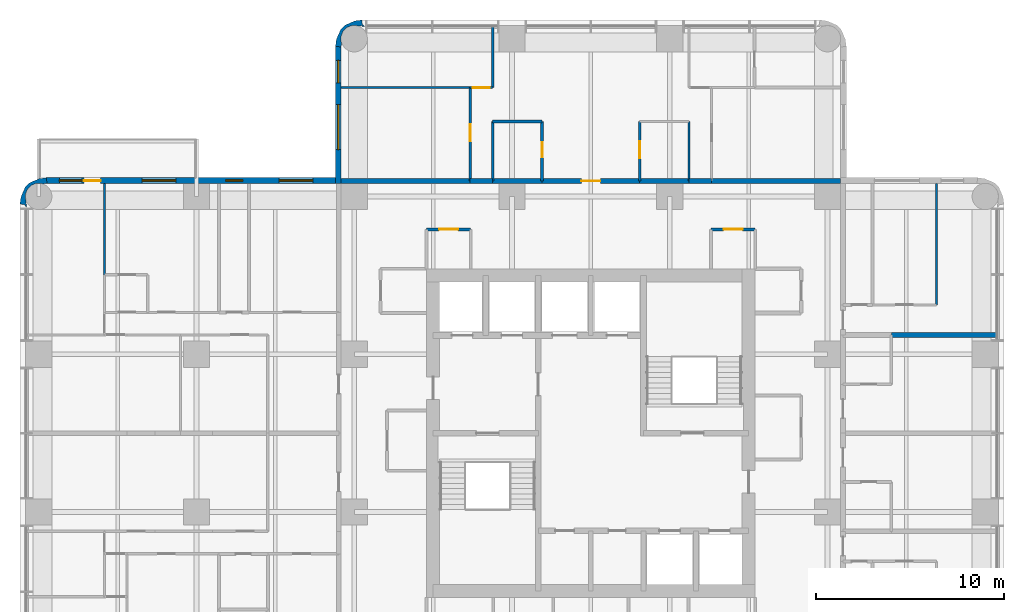
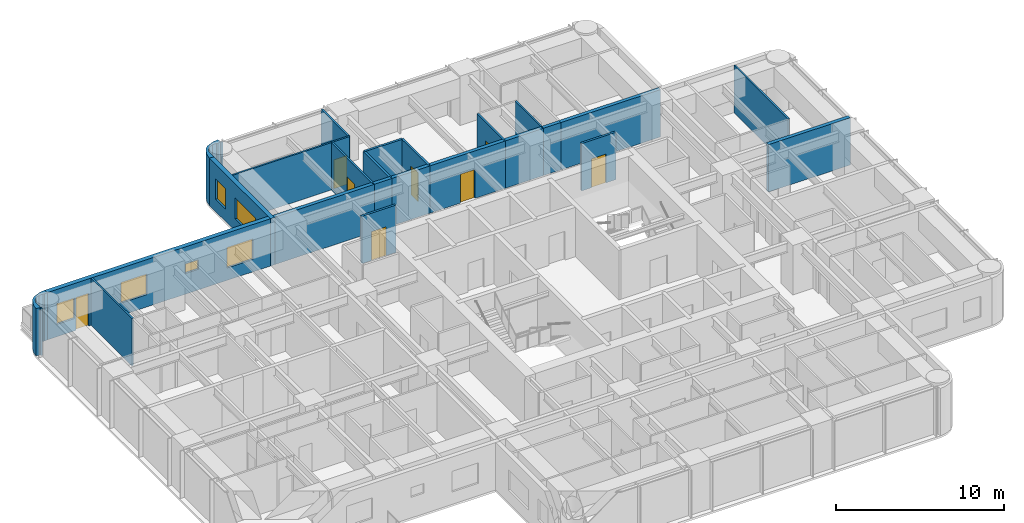
# One storey, part 9 of 11: 25 walls, 8 doors, 6 windows, 14 openings.
"""IFC4 building model written with IfcOpenShell, lengths in metres."""

from ifc_helpers import new_model, si_unit, direction, frame, frame_2d, origin, place, context, subcontext, project, spatial, polyline, rectangle, outline, extrude, material, layer, layer_set, type_object, element, fill, save


model = new_model("IFC4")

# Units and contexts
model_context = context("Model", 3, precision=1e-05, world=origin(), true_north=direction((0.0, 1.0)))
body_context = subcontext(model_context, "Body", "Model", "MODEL_VIEW")
ifc_project = project(units=[si_unit("LENGTHUNIT", "METRE"), si_unit("AREAUNIT", "SQUARE_METRE"), si_unit("VOLUMEUNIT", "CUBIC_METRE"), si_unit("PLANEANGLEUNIT", "RADIAN"), si_unit("MASSUNIT", "GRAM", prefix="KILO")], contexts=[model_context])

# Site, building, storey
site_placement = place(None, origin())
site = spatial("IfcSite", under=ifc_project, at=site_placement, CompositionType="ELEMENT")
building_placement = place(site_placement, origin())
building = spatial("IfcBuilding", under=site, at=building_placement, Name="Torre Alcanfor", CompositionType="ELEMENT")
storey_placement = place(building_placement, frame((0.0, 0.0, 230.10009765625)))
storey = spatial("IfcBuildingStorey", under=building, at=storey_placement, Name="L60", CompositionType="ELEMENT", Elevation=230.10009765625)

# Wall, opening, door
ifc_material_1 = material(Name="Concrete block masonry, hollow blocks NMX-C-404 9 MPa", Category="masonry")
ifc_layer_1 = layer(ifc_material_1, 0.25)
ifc_layer_set_1 = layer_set([ifc_layer_1], Name="Apartment entrance wall 250 EI 60")
wall_type_1 = type_object("IfcWallType", Name="Apartment entrance wall 250 EI 60", PredefinedType="PARTITIONING", material=ifc_layer_set_1)
wall_1_placement = place(storey_placement, frame((26.800048828125, 42.824951171875, 0.0), z_axis=(0.0, 0.0, 1.0), x_axis=(1.0, 0.0, 0.0)))
wall_1 = element("IfcWall", 1, at=wall_1_placement, inside=storey, type_object=wall_type_1, Name="Partition L60-CORR / L60-NX-ZAG", PredefinedType="PARTITIONING", context=body_context, shape_type="SweptSolid", body=[
    extrude(rectangle(XDim=5.199951171875, YDim=0.25, at=frame_2d((2.60009765625, 0.0))), origin(), (0.0, 0.0, 1.0), 3.449951171875),
])
opening_1_placement = place(wall_1_placement, frame((2.10009765625, 0.0, 0.0)))
opening_1 = element("IfcOpeningElement", 2, at=opening_1_placement, cuts=wall_1, Name="Opening D-A1", PredefinedType="OPENING", context=body_context, shape_type="SweptSolid", body=[
    extrude(rectangle(XDim=1.0, YDim=2.10009765625, at=frame_2d((0.5, 1.050048828125))), frame((0.0, 0.135009765625, 0.0), z_axis=(0.0, -1.0, 0.0), x_axis=(1.0, 0.0, 0.0)), (0.0, 0.0, 1.0), 0.27001953125),
])
ifc_material_2 = material(Name="Galvanised steel sheet ASTM A653", Category="steel")
door_type_1 = type_object("IfcDoorType", Name="Apartment entrance door FD60 1000x2100", OperationType="SINGLE_SWING_LEFT", PredefinedType="DOOR", material=ifc_material_2)
door_1_placement = place(opening_1_placement, origin())
door_1 = element("IfcDoor", 3, at=door_1_placement, inside=storey, type_object=door_type_1, Name="Apartment entrance L60-NX", OperationType="SINGLE_SWING_LEFT", OverallHeight=2.10009765625, OverallWidth=1.0, PredefinedType="DOOR", context=body_context, shape_type="SweptSolid", body=[
    extrude(rectangle(XDim=1.0, YDim=2.10009765625, at=frame_2d((0.5, 1.050048828125))), frame((0.0, 0.02490234375, 0.0), z_axis=(0.0, -1.0, 0.0), x_axis=(1.0, 0.0, 0.0)), (0.0, 0.0, 1.0), 0.050048828125),
])
fill(opening_1, door_1)

# Walls
wall_2_placement = place(storey_placement, frame((24.1708984375, 42.824951171875, 0.0), z_axis=(0.0, 0.0, 1.0), x_axis=(1.0, 0.0, 0.0)))
element("IfcWall", 4, at=wall_2_placement, inside=storey, type_object=wall_type_1, Name="Partition L60-CORR / L60-NX-BATH2", PredefinedType="PARTITIONING", context=body_context, shape_type="SweptSolid", body=[
    extrude(rectangle(XDim=2.629150390625, YDim=0.25, at=frame_2d((1.314453125, 0.0))), origin(), (0.0, 0.0, 1.0), 3.449951171875),
])
wall_3_placement = place(storey_placement, frame((32.0, 42.824951171875, 0.0), z_axis=(0.0, 0.0, 1.0), x_axis=(1.0, 0.0, 0.0)))
element("IfcWall", 5, at=wall_3_placement, inside=storey, type_object=wall_type_1, Name="Partition L60-CORR / L60-NX-KITCHEN", PredefinedType="PARTITIONING", context=body_context, shape_type="SweptSolid", body=[
    extrude(rectangle(XDim=2.62890625, YDim=0.25, at=frame_2d((1.314453125, 0.0))), origin(), (0.0, 0.0, 1.0), 3.449951171875),
])
wall_4_placement = place(storey_placement, frame((22.970947265625, 42.824951171875, 0.0), z_axis=(0.0, 0.0, 1.0), x_axis=(1.0, 0.0, 0.0)))
element("IfcWall", 6, at=wall_4_placement, inside=storey, type_object=wall_type_1, Name="Partition L60-CORR / L60-NX-LIVING", PredefinedType="PARTITIONING", context=body_context, shape_type="SweptSolid", body=[
    extrude(rectangle(XDim=1.199951171875, YDim=0.25, at=frame_2d((0.60009765625, 0.0))), origin(), (0.0, 0.0, 1.0), 3.449951171875),
])
wall_5_placement = place(storey_placement, frame((34.62890625, 42.824951171875, 0.0), z_axis=(0.0, 0.0, 1.0), x_axis=(1.0, 0.0, 0.0)))
element("IfcWall", 7, at=wall_5_placement, inside=storey, type_object=wall_type_1, Name="Partition L60-CORR / L60-NX-LIVING", PredefinedType="PARTITIONING", context=body_context, shape_type="SweptSolid", body=[
    extrude(rectangle(XDim=1.2001953125, YDim=0.25, at=frame_2d((0.60009765625, 0.0))), origin(), (0.0, 0.0, 1.0), 3.449951171875),
])
for number, where, z_axis, x_axis, name in (
    (8, (16.10009765625, 42.824951171875, 0.0), (0.0, 0.0, 1.0), (1.0, 0.0, 0.0), "Partition L60-CORR / L60-NX-BED2"),
    (9, (35.8291015625, 42.824951171875, 0.0), (0.0, 0.0, 1.0), (1.0, 0.0, 0.0), "Partition L60-CORR / L60-NX-BED3"),
):
    element("IfcWall", number, at=place(storey_placement, frame(where, z_axis=z_axis, x_axis=x_axis)), inside=storey, type_object=wall_type_1, Name=name, PredefinedType="PARTITIONING", context=body_context, shape_type="SweptSolid", body=[
        extrude(rectangle(XDim=6.870849609375, YDim=0.25, at=frame_2d((3.435546875, 0.0))), origin(), (0.0, 0.0, 1.0), 3.449951171875),
    ])

# Wall, opening, door
ifc_material_3 = material(Name="Gypsum board on steel studs", Category="steel")
ifc_layer_2 = layer(ifc_material_3, 0.1201171875)
ifc_layer_set_2 = layer_set([ifc_layer_2], Name="Apartment partition 120")
wall_type_2 = type_object("IfcWallType", Name="Apartment partition 120", PredefinedType="PARTITIONING", material=ifc_layer_set_2)
wall_6_placement = place(storey_placement, frame((32.0, 42.824951171875, 0.0), z_axis=(0.0, 0.0, 1.0), x_axis=(0.0, 1.0, 0.0)))
wall_6 = element("IfcWall", 10, at=wall_6_placement, inside=storey, type_object=wall_type_2, Name="Partition L60-NX-ZAG / L60-NX-KITCHEN", PredefinedType="PARTITIONING", context=body_context, shape_type="SweptSolid", body=[
    extrude(rectangle(XDim=3.175048828125, YDim=0.1201171875, at=frame_2d((1.58740234375, 0.0))), origin(), (0.0, 0.0, 1.0), 3.449951171875),
])
opening_2_placement = place(wall_6_placement, frame((1.22509765625, 0.0, 0.0)))
opening_2 = element("IfcOpeningElement", 11, at=opening_2_placement, cuts=wall_6, Name="Opening D-R1", PredefinedType="OPENING", context=body_context, shape_type="SweptSolid", body=[
    extrude(rectangle(XDim=0.89990234375, YDim=2.10009765625, at=frame_2d((0.449951171875, 1.050048828125))), frame((0.0, 0.070068359375, 0.0), z_axis=(0.0, -1.0, 0.0), x_axis=(1.0, 0.0, 0.0)), (0.0, 0.0, 1.0), 0.14013671875),
])
ifc_material_4 = material(Name="Timber", Category="wood")
door_type_2 = type_object("IfcDoorType", Name="Internal door 900x2100", OperationType="SINGLE_SWING_LEFT", PredefinedType="DOOR", material=ifc_material_4)
door_2_placement = place(opening_2_placement, frame((0.89990234375, 0.0, 0.0), z_axis=(0.0, 0.0, 1.0), x_axis=(-1.0, 0.0, 0.0)))
door_2 = element("IfcDoor", 12, at=door_2_placement, inside=storey, type_object=door_type_2, Name="Door L60-NX kitchen", OperationType="SINGLE_SWING_LEFT", OverallHeight=2.10009765625, OverallWidth=0.89990234375, PredefinedType="DOOR", context=body_context, shape_type="SweptSolid", body=[
    extrude(rectangle(XDim=0.89990234375, YDim=2.10009765625, at=frame_2d((0.449951171875, 1.050048828125))), frame((0.0, 0.025146484375, 0.0), z_axis=(0.0, -1.0, 0.0), x_axis=(1.0, 0.0, 0.0)), (0.0, 0.0, 1.0), 0.050048828125),
])
fill(opening_2, door_2)

# Wall
wall_7_placement = place(storey_placement, frame((34.62890625, 42.824951171875, 0.0), z_axis=(0.0, 0.0, 1.0), x_axis=(0.0, 1.0, 0.0)))
element("IfcWall", 13, at=wall_7_placement, inside=storey, type_object=wall_type_2, Name="Partition L60-NX-KITCHEN / L60-NX-LIVING", PredefinedType="PARTITIONING", context=body_context, shape_type="SweptSolid", body=[
    extrude(rectangle(XDim=3.175048828125, YDim=0.1201171875, at=frame_2d((1.58740234375, 0.0))), origin(), (0.0, 0.0, 1.0), 3.449951171875),
])

# Wall, opening, door
wall_8_placement = place(storey_placement, frame((22.970947265625, 42.824951171875, 0.0), z_axis=(0.0, 0.0, 1.0), x_axis=(0.0, 1.0, 0.0)))
wall_8 = element("IfcWall", 14, at=wall_8_placement, inside=storey, type_object=wall_type_2, Name="Partition L60-NX-LIVING / L60-NX-BED2", PredefinedType="PARTITIONING", context=body_context, shape_type="SweptSolid", body=[
    extrude(rectangle(XDim=4.97509765625, YDim=0.1201171875, at=frame_2d((2.487548828125, 0.0))), origin(), (0.0, 0.0, 1.0), 3.449951171875),
])
opening_3_placement = place(wall_8_placement, frame((2.125, 0.0, 0.0)))
opening_3 = element("IfcOpeningElement", 15, at=opening_3_placement, cuts=wall_8, Name="Opening D-R1", PredefinedType="OPENING", context=body_context, shape_type="SweptSolid", body=[
    extrude(rectangle(XDim=0.89990234375, YDim=2.10009765625, at=frame_2d((0.449951171875, 1.050048828125))), frame((0.0, 0.070068359375, 0.0), z_axis=(0.0, -1.0, 0.0), x_axis=(1.0, 0.0, 0.0)), (0.0, 0.0, 1.0), 0.14013671875),
])
door_3_placement = place(opening_3_placement, origin())
door_3 = element("IfcDoor", 16, at=door_3_placement, inside=storey, type_object=door_type_2, Name="Door L60-NX bed2", OperationType="SINGLE_SWING_RIGHT", OverallHeight=2.10009765625, OverallWidth=0.89990234375, PredefinedType="DOOR", context=body_context, shape_type="SweptSolid", body=[
    extrude(rectangle(XDim=0.89990234375, YDim=2.10009765625, at=frame_2d((0.449951171875, 1.050048828125))), frame((0.0, 0.02490234375, 0.0), z_axis=(0.0, -1.0, 0.0), x_axis=(1.0, 0.0, 0.0)), (0.0, 0.0, 1.0), 0.050048828125),
])
fill(opening_3, door_3)

wall_9_placement = place(storey_placement, frame((22.970947265625, 47.800048828125, 0.0), z_axis=(0.0, 0.0, 1.0), x_axis=(1.0, 0.0, 0.0)))
wall_9 = element("IfcWall", 17, at=wall_9_placement, inside=storey, type_object=wall_type_2, Name="Partition L60-NX-LIVING / L60-NX-MASTER", PredefinedType="PARTITIONING", context=body_context, shape_type="SweptSolid", body=[
    extrude(rectangle(XDim=1.199951171875, YDim=0.1201171875, at=frame_2d((0.60009765625, 0.0))), origin(), (0.0, 0.0, 1.0), 3.449951171875),
])
opening_4_placement = place(wall_9_placement, frame((0.14892578125, 0.0, 0.0)))
opening_4 = element("IfcOpeningElement", 18, at=opening_4_placement, cuts=wall_9, Name="Opening D-R1", PredefinedType="OPENING", context=body_context, shape_type="SweptSolid", body=[
    extrude(rectangle(XDim=0.89990234375, YDim=2.10009765625, at=frame_2d((0.449951171875, 1.050048828125))), frame((0.0, 0.070068359375, 0.0), z_axis=(0.0, -1.0, 0.0), x_axis=(1.0, 0.0, 0.0)), (0.0, 0.0, 1.0), 0.14013671875),
])
door_4_placement = place(opening_4_placement, origin())
door_4 = element("IfcDoor", 19, at=door_4_placement, inside=storey, type_object=door_type_2, Name="Door L60-NX master", OperationType="SINGLE_SWING_RIGHT", OverallHeight=2.10009765625, OverallWidth=0.89990234375, PredefinedType="DOOR", context=body_context, shape_type="SweptSolid", body=[
    extrude(rectangle(XDim=0.89990234375, YDim=2.10009765625, at=frame_2d((0.449951171875, 1.050048828125))), frame((0.0, 0.02490234375, 0.0), z_axis=(0.0, -1.0, 0.0), x_axis=(1.0, 0.0, 0.0)), (0.0, 0.0, 1.0), 0.050048828125),
])
fill(opening_4, door_4)

# Walls
wall_10_placement = place(storey_placement, frame((24.1708984375, 47.800048828125, 0.0), z_axis=(0.0, 0.0, 1.0), x_axis=(0.0, 1.0, 0.0)))
element("IfcWall", 20, at=wall_10_placement, inside=storey, type_object=wall_type_2, Name="Partition L60-NX-LIVING / L60-NX-MASTER", PredefinedType="PARTITIONING", context=body_context, shape_type="SweptSolid", body=[
    extrude(rectangle(XDim=3.25, YDim=0.1201171875, at=frame_2d((1.625, 0.0))), origin(), (0.0, 0.0, 1.0), 3.449951171875),
])
wall_11_placement = place(storey_placement, frame((22.970947265625, 47.800048828125, 0.0), z_axis=(0.0, 0.0, 1.0), x_axis=(-1.0, 0.0, 0.0)))
element("IfcWall", 21, at=wall_11_placement, inside=storey, type_object=wall_type_2, Name="Partition L60-NX-BED2 / L60-NX-MASTER", PredefinedType="PARTITIONING", context=body_context, shape_type="SweptSolid", body=[
    extrude(rectangle(XDim=6.870849609375, YDim=0.1201171875, at=frame_2d((3.435546875, 0.0))), origin(), (0.0, 0.0, 1.0), 3.449951171875),
])
wall_12_placement = place(storey_placement, frame((47.800048828125, 36.22900390625, 0.0), z_axis=(0.0, 0.0, 1.0), x_axis=(0.0, 1.0, 0.0)))
element("IfcWall", 22, at=wall_12_placement, inside=storey, type_object=wall_type_2, Name="Partition L60-E1B-LIVING / L60-E1B-MASTER", PredefinedType="PARTITIONING", context=body_context, shape_type="SweptSolid", body=[
    extrude(rectangle(XDim=6.470947265625, YDim=0.1201171875, at=frame_2d((3.2353515625, 0.0))), origin(), (0.0, 0.0, 1.0), 3.449951171875),
])
wall_13_placement = place(storey_placement, frame((3.5, 37.8291015625, 0.0), z_axis=(0.0, 0.0, 1.0), x_axis=(0.0, 1.0, 0.0)))
element("IfcWall", 23, at=wall_13_placement, inside=storey, type_object=wall_type_2, Name="Partition L60-W2-MASTER / L60-W2-WGARD", PredefinedType="PARTITIONING", context=body_context, shape_type="SweptSolid", body=[
    extrude(rectangle(XDim=4.870849609375, YDim=0.1201171875, at=frame_2d((2.435546875, 0.0))), origin(), (0.0, 0.0, 1.0), 3.449951171875),
])

# Wall, openings, door, windows
ifc_material_5 = material(Name="Limestone cladding", Category="masonry")
ifc_layer_3 = layer(ifc_material_5, 0.0400390625, Name="Facing")
ifc_material_6 = material(Name="Ventilated air cavity")
ifc_layer_4 = layer(ifc_material_6, 0.02001953125, ventilated=True, Name="Ventilated joint")
ifc_material_7 = material(Name="Mineral wool insulation", Category="insulation")
ifc_layer_5 = layer(ifc_material_7, 0.10009765625, Name="Insulation")
ifc_material_8 = material(Name="Concrete f'c 35 MPa", Category="concrete")
ifc_layer_6 = layer(ifc_material_8, 0.139892578125, Name="Backing")
ifc_layer_set_3 = layer_set([ifc_layer_3, ifc_layer_4, ifc_layer_5, ifc_layer_6], Name="External wall stone-clad 300")
wall_type_3 = type_object("IfcWallType", Name="External wall stone-clad 300", PredefinedType="SOLIDWALL", material=ifc_layer_set_3)
wall_14_placement = place(storey_placement, frame((15.800048828125, 42.85009765625, 0.0), z_axis=(0.0, 0.0, 1.0), x_axis=(-1.0, 0.0, 0.0)))
wall_14 = element("IfcWall", 24, at=wall_14_placement, inside=storey, type_object=wall_type_3, Name="External wall L60 1", PredefinedType="SOLIDWALL", context=body_context, shape_type="SweptSolid", body=[
    extrude(rectangle(XDim=15.400146484375, YDim=0.300048828125, at=frame_2d((7.7001953125, 0.0))), origin(), (0.0, 0.0, 1.0), 3.449951171875),
])
opening_5_placement = place(wall_14_placement, frame((1.199951171875, 0.0, 0.89990234375)))
opening_5 = element("IfcOpeningElement", 25, at=opening_5_placement, cuts=wall_14, Name="Opening W2", PredefinedType="OPENING", context=body_context, shape_type="SweptSolid", body=[
    extrude(rectangle(XDim=1.800048828125, YDim=1.5, at=frame_2d((0.89990234375, 0.75))), frame((0.0, 0.159912109375, 0.0), z_axis=(0.0, -1.0, 0.0), x_axis=(1.0, 0.0, 0.0)), (0.0, 0.0, 1.0), 0.320068359375),
])
opening_6_placement = place(wall_14_placement, frame((4.949951171875, 0.0, 1.5)))
opening_6 = element("IfcOpeningElement", 26, at=opening_6_placement, cuts=wall_14, Name="Opening W3", PredefinedType="OPENING", context=body_context, shape_type="SweptSolid", body=[
    extrude(rectangle(XDim=0.89990234375, YDim=0.699951171875, at=frame_2d((0.449951171875, 0.35009765625))), frame((0.0, 0.159912109375, 0.0), z_axis=(0.0, -1.0, 0.0), x_axis=(1.0, 0.0, 0.0)), (0.0, 0.0, 1.0), 0.320068359375),
])
opening_7_placement = place(wall_14_placement, frame((8.5, 0.0, 0.89990234375)))
opening_7 = element("IfcOpeningElement", 27, at=opening_7_placement, cuts=wall_14, Name="Opening W2", PredefinedType="OPENING", context=body_context, shape_type="SweptSolid", body=[
    extrude(rectangle(XDim=1.800048828125, YDim=1.5, at=frame_2d((0.89990234375, 0.75))), frame((0.0, 0.159912109375, 0.0), z_axis=(0.0, -1.0, 0.0), x_axis=(1.0, 0.0, 0.0)), (0.0, 0.0, 1.0), 0.320068359375),
])
opening_8_placement = place(wall_14_placement, frame((12.5, 0.0, 0.0)))
opening_8 = element("IfcOpeningElement", 28, at=opening_8_placement, cuts=wall_14, Name="Opening D-B1", PredefinedType="OPENING", context=body_context, shape_type="SweptSolid", body=[
    extrude(rectangle(XDim=0.89990234375, YDim=2.39990234375, at=frame_2d((0.449951171875, 1.199951171875))), frame((0.0, 0.159912109375, 0.0), z_axis=(0.0, -1.0, 0.0), x_axis=(1.0, 0.0, 0.0)), (0.0, 0.0, 1.0), 0.320068359375),
])
opening_9_placement = place(wall_14_placement, frame((13.5, 0.0, 0.89990234375)))
opening_9 = element("IfcOpeningElement", 29, at=opening_9_placement, cuts=wall_14, Name="Opening W4", PredefinedType="OPENING", context=body_context, shape_type="SweptSolid", body=[
    extrude(rectangle(XDim=1.199951171875, YDim=1.5, at=frame_2d((0.60009765625, 0.75))), frame((0.0, 0.159912109375, 0.0), z_axis=(0.0, -1.0, 0.0), x_axis=(1.0, 0.0, 0.0)), (0.0, 0.0, 1.0), 0.320068359375),
])
ifc_material_9 = material(Name="Aluminium and glass", Category="aluminium")
door_type_3 = type_object("IfcDoorType", Name="Balcony door glazed 900x2400", OperationType="SINGLE_SWING_LEFT", PredefinedType="DOOR", material=ifc_material_9)
door_5_placement = place(opening_8_placement, origin())
door_5 = element("IfcDoor", 30, at=door_5_placement, inside=storey, type_object=door_type_3, Name="Balcony door L60-W2", OperationType="SINGLE_SWING_LEFT", OverallHeight=2.39990234375, OverallWidth=0.89990234375, PredefinedType="DOOR", context=body_context, shape_type="SweptSolid", body=[
    extrude(rectangle(XDim=0.89990234375, YDim=2.39990234375, at=frame_2d((0.449951171875, 1.199951171875))), frame((0.0, 0.02490234375, 0.0), z_axis=(0.0, -1.0, 0.0), x_axis=(1.0, 0.0, 0.0)), (0.0, 0.0, 1.0), 0.050048828125),
])
fill(opening_8, door_5)
ifc_material_10 = material(Name="Aluminium frame with clear double glazing", Category="aluminium")
window_type_1 = type_object("IfcWindowType", Name="Window bathroom 900x700", PartitioningType="SINGLE_PANEL", PredefinedType="WINDOW", material=ifc_material_10)
window_1_placement = place(opening_6_placement, origin())
window_1 = element("IfcWindow", 31, at=window_1_placement, inside=storey, type_object=window_type_1, Name="Window W3 L60-W2", OverallHeight=0.699951171875, OverallWidth=0.89990234375, PartitioningType="SINGLE_PANEL", PredefinedType="WINDOW", context=body_context, shape_type="SweptSolid", body=[
    extrude(rectangle(XDim=0.89990234375, YDim=0.699951171875, at=frame_2d((0.449951171875, 0.35009765625))), frame((0.0, 0.030029296875, 0.0), z_axis=(0.0, -1.0, 0.0), x_axis=(1.0, 0.0, 0.0)), (0.0, 0.0, 1.0), 0.06005859375),
])
fill(opening_6, window_1)
ifc_material_11 = material(Name="Aluminium frame with clear double glazing", Category="aluminium")
window_type_2 = type_object("IfcWindowType", Name="Window bedroom 1200x1500", PartitioningType="SINGLE_PANEL", PredefinedType="WINDOW", material=ifc_material_11)
window_2_placement = place(opening_9_placement, origin())
window_2 = element("IfcWindow", 32, at=window_2_placement, inside=storey, type_object=window_type_2, Name="Window W4 L60-W2", OverallHeight=1.5, OverallWidth=1.199951171875, PartitioningType="SINGLE_PANEL", PredefinedType="WINDOW", context=body_context, shape_type="SweptSolid", body=[
    extrude(rectangle(XDim=1.199951171875, YDim=1.5, at=frame_2d((0.60009765625, 0.75))), frame((0.0, 0.030029296875, 0.0), z_axis=(0.0, -1.0, 0.0), x_axis=(1.0, 0.0, 0.0)), (0.0, 0.0, 1.0), 0.06005859375),
])
fill(opening_9, window_2)
ifc_material_12 = material(Name="Aluminium frame with clear double glazing", Category="aluminium")
window_type_3 = type_object("IfcWindowType", Name="Window bedroom 1800x1500", PartitioningType="SINGLE_PANEL", PredefinedType="WINDOW", material=ifc_material_12)
window_3_placement = place(opening_5_placement, origin())
window_3 = element("IfcWindow", 33, at=window_3_placement, inside=storey, type_object=window_type_3, Name="Window W2 L60-W2", OverallHeight=1.5, OverallWidth=1.800048828125, PartitioningType="SINGLE_PANEL", PredefinedType="WINDOW", context=body_context, shape_type="SweptSolid", body=[
    extrude(rectangle(XDim=1.800048828125, YDim=1.5, at=frame_2d((0.89990234375, 0.75))), frame((0.0, 0.030029296875, 0.0), z_axis=(0.0, -1.0, 0.0), x_axis=(1.0, 0.0, 0.0)), (0.0, 0.0, 1.0), 0.06005859375),
])
fill(opening_5, window_3)
window_4_placement = place(opening_7_placement, origin())
window_4 = element("IfcWindow", 34, at=window_4_placement, inside=storey, type_object=window_type_3, Name="Window W2 L60-W2", OverallHeight=1.5, OverallWidth=1.800048828125, PartitioningType="SINGLE_PANEL", PredefinedType="WINDOW", context=body_context, shape_type="SweptSolid", body=[
    extrude(rectangle(XDim=1.800048828125, YDim=1.5, at=frame_2d((0.89990234375, 0.75))), frame((0.0, 0.030029296875, 0.0), z_axis=(0.0, -1.0, 0.0), x_axis=(1.0, 0.0, 0.0)), (0.0, 0.0, 1.0), 0.06005859375),
])
fill(opening_7, window_4)

# Wall, openings, windows
wall_15_placement = place(storey_placement, frame((15.949951171875, 50.0, 0.0), z_axis=(0.0, 0.0, 1.0), x_axis=(0.0, -1.0, 0.0)))
wall_15 = element("IfcWall", 35, at=wall_15_placement, inside=storey, type_object=wall_type_3, Name="External wall L60 12", PredefinedType="SOLIDWALL", context=body_context, shape_type="SweptSolid", body=[
    extrude(rectangle(XDim=7.300048828125, YDim=0.300048828125, at=frame_2d((3.64990234375, 0.0))), origin(), (0.0, 0.0, 1.0), 3.449951171875),
])
opening_10_placement = place(wall_15_placement, frame((3.10009765625, 0.0, 0.89990234375)))
opening_10 = element("IfcOpeningElement", 36, at=opening_10_placement, cuts=wall_15, Name="Opening W1", PredefinedType="OPENING", context=body_context, shape_type="SweptSolid", body=[
    extrude(rectangle(XDim=2.39990234375, YDim=1.5, at=frame_2d((1.199951171875, 0.75))), frame((0.0, 0.159912109375, 0.0), z_axis=(0.0, -1.0, 0.0), x_axis=(1.0, 0.0, 0.0)), (0.0, 0.0, 1.0), 0.320068359375),
])
opening_11_placement = place(wall_15_placement, frame((0.75, 0.0, 0.89990234375)))
opening_11 = element("IfcOpeningElement", 37, at=opening_11_placement, cuts=wall_15, Name="Opening W4", PredefinedType="OPENING", context=body_context, shape_type="SweptSolid", body=[
    extrude(rectangle(XDim=1.199951171875, YDim=1.5, at=frame_2d((0.60009765625, 0.75))), frame((0.0, 0.159912109375, 0.0), z_axis=(0.0, -1.0, 0.0), x_axis=(1.0, 0.0, 0.0)), (0.0, 0.0, 1.0), 0.320068359375),
])
window_5_placement = place(opening_11_placement, origin())
window_5 = element("IfcWindow", 38, at=window_5_placement, inside=storey, type_object=window_type_2, Name="Window W4 L60-N1", OverallHeight=1.5, OverallWidth=1.199951171875, PartitioningType="SINGLE_PANEL", PredefinedType="WINDOW", context=body_context, shape_type="SweptSolid", body=[
    extrude(rectangle(XDim=1.199951171875, YDim=1.5, at=frame_2d((0.60009765625, 0.75))), frame((0.0, 0.030029296875, 0.0), z_axis=(0.0, -1.0, 0.0), x_axis=(1.0, 0.0, 0.0)), (0.0, 0.0, 1.0), 0.06005859375),
])
fill(opening_11, window_5)
ifc_material_13 = material(Name="Aluminium frame with clear double glazing", Category="aluminium")
window_type_4 = type_object("IfcWindowType", Name="Window bedroom 2400x1500", PartitioningType="SINGLE_PANEL", PredefinedType="WINDOW", material=ifc_material_13)
window_6_placement = place(opening_10_placement, origin())
window_6 = element("IfcWindow", 39, at=window_6_placement, inside=storey, type_object=window_type_4, Name="Window W1 L60-N1", OverallHeight=1.5, OverallWidth=2.39990234375, PartitioningType="SINGLE_PANEL", PredefinedType="WINDOW", context=body_context, shape_type="SweptSolid", body=[
    extrude(rectangle(XDim=2.39990234375, YDim=1.5, at=frame_2d((1.199951171875, 0.75))), frame((0.0, 0.030029296875, 0.0), z_axis=(0.0, -1.0, 0.0), x_axis=(1.0, 0.0, 0.0)), (0.0, 0.0, 1.0), 0.06005859375),
])
fill(opening_10, window_6)

# Wall
ifc_material_14 = material(Name="Concrete block masonry, hollow blocks NMX-C-404 9 MPa", Category="masonry")
ifc_layer_7 = layer(ifc_material_14, 0.25)
ifc_layer_set_4 = layer_set([ifc_layer_7], Name="Party wall 250 EI 60")
wall_type_4 = type_object("IfcWallType", Name="Party wall 250 EI 60", PredefinedType="PARTITIONING", material=ifc_layer_set_4)
wall_16_placement = place(storey_placement, frame((45.39990234375, 34.62890625, 0.0), z_axis=(0.0, 0.0, 1.0), x_axis=(1.0, 0.0, 0.0)))
element("IfcWall", 40, at=wall_16_placement, inside=storey, type_object=wall_type_4, Name="Partition L60-E1A-STUDIO / L60-E1B-LIVING", PredefinedType="PARTITIONING", context=body_context, shape_type="SweptSolid", body=[
    extrude(rectangle(XDim=5.650146484375, YDim=0.25, at=frame_2d((2.8251953125, 0.0))), origin(), (0.0, 0.0, 1.0), 3.449951171875),
])

# Wall, opening, door
ifc_material_15 = material(Name="Concrete block masonry, hollow blocks NMX-C-404 9 MPa", Category="masonry")
ifc_layer_8 = layer(ifc_material_15, 0.14990234375)
ifc_layer_set_5 = layer_set([ifc_layer_8], Name="Residents' room partition 150")
wall_type_5 = type_object("IfcWallType", Name="Residents' room partition 150", PredefinedType="PARTITIONING", material=ifc_layer_set_5)
wall_17_placement = place(storey_placement, frame((23.0, 40.25, 0.0), z_axis=(0.0, 0.0, 1.0), x_axis=(-1.0, 0.0, 0.0)))
wall_17 = element("IfcWall", 41, at=wall_17_placement, inside=storey, type_object=wall_type_5, Name="Partition L60-CORR / L60-G01", PredefinedType="PARTITIONING", context=body_context, shape_type="SweptSolid", body=[
    extrude(rectangle(XDim=2.35009765625, YDim=0.14990234375, at=frame_2d((1.175048828125, 0.0))), origin(), (0.0, 0.0, 1.0), 3.449951171875),
])
opening_12_placement = place(wall_17_placement, frame((0.675048828125, 0.0, 0.0)))
opening_12 = element("IfcOpeningElement", 42, at=opening_12_placement, cuts=wall_17, Name="Opening D-M1", PredefinedType="OPENING", context=body_context, shape_type="SweptSolid", body=[
    extrude(rectangle(XDim=1.0, YDim=2.10009765625, at=frame_2d((0.5, 1.050048828125))), frame((0.0, 0.0849609375, 0.0), z_axis=(0.0, -1.0, 0.0), x_axis=(1.0, 0.0, 0.0)), (0.0, 0.0, 1.0), 0.169921875),
])
ifc_material_16 = material(Name="Timber", Category="wood")
door_type_4 = type_object("IfcDoorType", Name="Residents' room door 1000x2100", OperationType="SINGLE_SWING_LEFT", PredefinedType="DOOR", material=ifc_material_16)
door_6_placement = place(opening_12_placement, origin())
door_6 = element("IfcDoor", 43, at=door_6_placement, inside=storey, type_object=door_type_4, Name="Door L60-G01 parcel room", OperationType="SINGLE_SWING_LEFT", OverallHeight=2.10009765625, OverallWidth=1.0, PredefinedType="DOOR", context=body_context, shape_type="SweptSolid", body=[
    extrude(rectangle(XDim=1.0, YDim=2.10009765625, at=frame_2d((0.5, 1.050048828125))), frame((0.0, 0.02490234375, 0.0), z_axis=(0.0, -1.0, 0.0), x_axis=(1.0, 0.0, 0.0)), (0.0, 0.0, 1.0), 0.050048828125),
])
fill(opening_12, door_6)

wall_18_placement = place(storey_placement, frame((38.14990234375, 40.25, 0.0), z_axis=(0.0, 0.0, 1.0), x_axis=(-1.0, 0.0, 0.0)))
wall_18 = element("IfcWall", 44, at=wall_18_placement, inside=storey, type_object=wall_type_5, Name="Partition L60-CORR / L60-G02", PredefinedType="PARTITIONING", context=body_context, shape_type="SweptSolid", body=[
    extrude(rectangle(XDim=2.349853515625, YDim=0.14990234375, at=frame_2d((1.1748046875, 0.0))), origin(), (0.0, 0.0, 1.0), 3.449951171875),
])
opening_13_placement = place(wall_18_placement, frame((0.675048828125, 0.0, 0.0)))
opening_13 = element("IfcOpeningElement", 45, at=opening_13_placement, cuts=wall_18, Name="Opening D-M1", PredefinedType="OPENING", context=body_context, shape_type="SweptSolid", body=[
    extrude(rectangle(XDim=1.0, YDim=2.10009765625, at=frame_2d((0.5, 1.050048828125))), frame((0.0, 0.0849609375, 0.0), z_axis=(0.0, -1.0, 0.0), x_axis=(1.0, 0.0, 0.0)), (0.0, 0.0, 1.0), 0.169921875),
])
door_7_placement = place(opening_13_placement, origin())
door_7 = element("IfcDoor", 46, at=door_7_placement, inside=storey, type_object=door_type_4, Name="Door L60-G02 cleaners' store", OperationType="SINGLE_SWING_LEFT", OverallHeight=2.10009765625, OverallWidth=1.0, PredefinedType="DOOR", context=body_context, shape_type="SweptSolid", body=[
    extrude(rectangle(XDim=1.0, YDim=2.10009765625, at=frame_2d((0.5, 1.050048828125))), frame((0.0, 0.02490234375, 0.0), z_axis=(0.0, -1.0, 0.0), x_axis=(1.0, 0.0, 0.0)), (0.0, 0.0, 1.0), 0.050048828125),
])
fill(opening_13, door_7)

# Walls
ifc_layer_9 = layer(ifc_material_5, 0.0400390625, Name="Facing")
ifc_layer_10 = layer(ifc_material_6, 0.02001953125, ventilated=True, Name="Ventilated joint")
ifc_layer_11 = layer(ifc_material_7, 0.10009765625, Name="Insulation")
ifc_layer_12 = layer(ifc_material_8, 0.139892578125, Name="Backing")
ifc_layer_set_6 = layer_set([ifc_layer_9, ifc_layer_10, ifc_layer_11, ifc_layer_12], Name="Rounded corner pier stone-clad 300")
wall_type_6 = type_object("IfcWallType", Name="Rounded corner pier stone-clad 300", PredefinedType="SOLIDWALL", material=ifc_layer_set_6)
wall_19_placement = place(storey_placement, frame((0.289684728, 42.724211819, 0.0), z_axis=(0.0, 0.0, 1.0), x_axis=(-0.898030234854, 0.439933741929, 0.0)))
element("IfcWall", 47, at=wall_19_placement, inside=storey, type_object=wall_type_6, Name="Corner pier L60 13", PredefinedType="SOLIDWALL", context=body_context, shape_type="SweptSolid", body=[
    extrude(outline(polyline([(-0.1451696260029872, -0.04410137667948781), (0.022349775089968618, -0.29615457307685267), (0.3267662274453961, -0.09401161193946184), (0.5684395137438579, 0.1801582341686725), (0.5775438768187978, 0.19875519044837203), (0.6998681881563861, 0.337520421761322), (0.8105897526086489, 0.6609052696654318), (0.798987005723323, 0.8455248862565916), (0.8031915983754734, 0.8657994419976891), (0.7802772818432999, 1.230559659021311), (0.6636401292003462, 1.5768643338748296), (0.426274926498842, 1.4970116570996908), (0.3818262033461368, 1.5361339555879763), (0.27609856791259557, 1.5721508582913652), (0.34924184873618547, 1.4228445619203098), (0.3919947529834039, 1.4437886731693554), (0.4531844604451624, 1.2611683721887113), (0.5096660727895201, 1.2113572307370708), (0.632323380719828, 0.9609786838123349), (0.6499334439144826, 0.6825189735513317), (0.5596785928912745, 0.41891132480525434), (0.37509146330548054, 0.2096805523179385), (0.12471291638074464, 0.0870232443876307), (0.04955403003282338, 0.08228360846554762), (-0.12741072731568104, -0.035401515083730434), (-0.1451696260029872, -0.04410137667948781)])), origin(), (0.0, 0.0, 1.0), 3.449951171875),
])
wall_20_placement = place(storey_placement, frame((17.312325495, 50.98815184, 0.0), z_axis=(0.0, 0.0, 1.0), x_axis=(-0.439933741929, 0.898030234854, 0.0)))
element("IfcWall", 48, at=wall_20_placement, inside=storey, type_object=wall_type_6, Name="Corner pier L60 20", PredefinedType="SOLIDWALL", context=body_context, shape_type="SweptSolid", body=[
    extrude(outline(polyline([(0.1377143835604198, -0.039385181817258766), (0.1818364553516057, -0.0003747232930663008), (0.4192016580531099, -0.08022740006820503), (0.5358388106960636, 0.26607727478531357), (0.5587531272282371, 0.6308374918089354), (0.5545485345760868, 0.6511120475500328), (0.5663705271242188, 0.8356242584424797), (0.45553712270786306, 1.1593357577081085), (0.33310540567156155, 1.2978817433582523), (0.3240010425966217, 1.316478699637952), (0.08232775629815992, 1.5906485457460864), (-0.22208869605726766, 1.7927915068834772), (-0.3896080971502234, 1.5407383104861123), (-0.3718491984629172, 1.532038448890355), (-0.1945577897528935, 1.41446516530517), (-0.1197255547664915, 1.4096136894189937), (0.13065299215824444, 1.286956381488686), (0.3152401217440383, 1.07772560900137), (0.4057142184300525, 0.8140105545565798), (0.3881041552353981, 0.5355508442955765), (0.26544684730509027, 0.28517229737084054), (0.20907264065944553, 0.23558040158200633), (0.14755628183616776, 0.052848260637269044), (0.10502262325175554, 0.07368496618760154), (0.031879342428165675, -0.0756213301834538), (0.1377143835604198, -0.039385181817258766)])), origin(), (0.0, 0.0, 1.0), 3.449951171875),
])

# Wall, opening, door
ifc_material_17 = material(Name="Cement board on steel studs", Category="steel")
ifc_layer_13 = layer(ifc_material_17, 0.14990234375)
ifc_layer_set_7 = layer_set([ifc_layer_13], Name="Wet area partition 150")
wall_type_7 = type_object("IfcWallType", Name="Wet area partition 150", PredefinedType="PARTITIONING", material=ifc_layer_set_7)
wall_21_placement = place(storey_placement, frame((26.800048828125, 46.0, 0.0), z_axis=(0.0, 0.0, 1.0), x_axis=(0.0, -1.0, 0.0)))
wall_21 = element("IfcWall", 49, at=wall_21_placement, inside=storey, type_object=wall_type_7, Name="Partition L60-NX-ZAG / L60-NX-BATH2", PredefinedType="PARTITIONING", context=body_context, shape_type="SweptSolid", body=[
    extrude(rectangle(XDim=3.175048828125, YDim=0.14990234375, at=frame_2d((1.58740234375, 0.0))), origin(), (0.0, 0.0, 1.0), 3.449951171875),
])
opening_14_placement = place(wall_21_placement, frame((1.10009765625, 0.0, 0.0)))
opening_14 = element("IfcOpeningElement", 50, at=opening_14_placement, cuts=wall_21, Name="Opening D-R2", PredefinedType="OPENING", context=body_context, shape_type="SweptSolid", body=[
    extrude(rectangle(XDim=0.800048828125, YDim=2.10009765625, at=frame_2d((0.39990234375, 1.050048828125))), frame((0.0, 0.0849609375, 0.0), z_axis=(0.0, -1.0, 0.0), x_axis=(1.0, 0.0, 0.0)), (0.0, 0.0, 1.0), 0.169921875),
])
ifc_material_18 = material(Name="Timber", Category="wood")
door_type_5 = type_object("IfcDoorType", Name="Bathroom door 800x2100", OperationType="SINGLE_SWING_LEFT", PredefinedType="DOOR", material=ifc_material_18)
door_8_placement = place(opening_14_placement, frame((0.800048828125, 0.0, 0.0), z_axis=(0.0, 0.0, 1.0), x_axis=(-1.0, 0.0, 0.0)))
door_8 = element("IfcDoor", 51, at=door_8_placement, inside=storey, type_object=door_type_5, Name="Door L60-NX bath2", OperationType="SINGLE_SWING_RIGHT", OverallHeight=2.10009765625, OverallWidth=0.800048828125, PredefinedType="DOOR", context=body_context, shape_type="SweptSolid", body=[
    extrude(rectangle(XDim=0.800048828125, YDim=2.10009765625, at=frame_2d((0.400146484375, 1.050048828125))), frame((0.0, 0.025146484375, 0.0), z_axis=(0.0, -1.0, 0.0), x_axis=(1.0, 0.0, 0.0)), (0.0, 0.0, 1.0), 0.050048828125),
])
fill(opening_14, door_8)

# Walls
wall_22_placement = place(storey_placement, frame((26.800048828125, 46.0, 0.0), z_axis=(0.0, 0.0, 1.0), x_axis=(-1.0, 0.0, 0.0)))
element("IfcWall", 52, at=wall_22_placement, inside=storey, type_object=wall_type_7, Name="Partition L60-NX-BATH2 / L60-NX-LIVING", PredefinedType="PARTITIONING", context=body_context, shape_type="SweptSolid", body=[
    extrude(rectangle(XDim=2.629150390625, YDim=0.14990234375, at=frame_2d((1.314453125, 0.0))), origin(), (0.0, 0.0, 1.0), 3.449951171875),
])
wall_23_placement = place(storey_placement, frame((24.1708984375, 46.0, 0.0), z_axis=(0.0, 0.0, 1.0), x_axis=(0.0, -1.0, 0.0)))
element("IfcWall", 53, at=wall_23_placement, inside=storey, type_object=wall_type_7, Name="Partition L60-NX-BATH2 / L60-NX-LIVING", PredefinedType="PARTITIONING", context=body_context, shape_type="SweptSolid", body=[
    extrude(rectangle(XDim=3.175048828125, YDim=0.14990234375, at=frame_2d((1.58740234375, 0.0))), origin(), (0.0, 0.0, 1.0), 3.449951171875),
])

save(model, "model.ifc")
